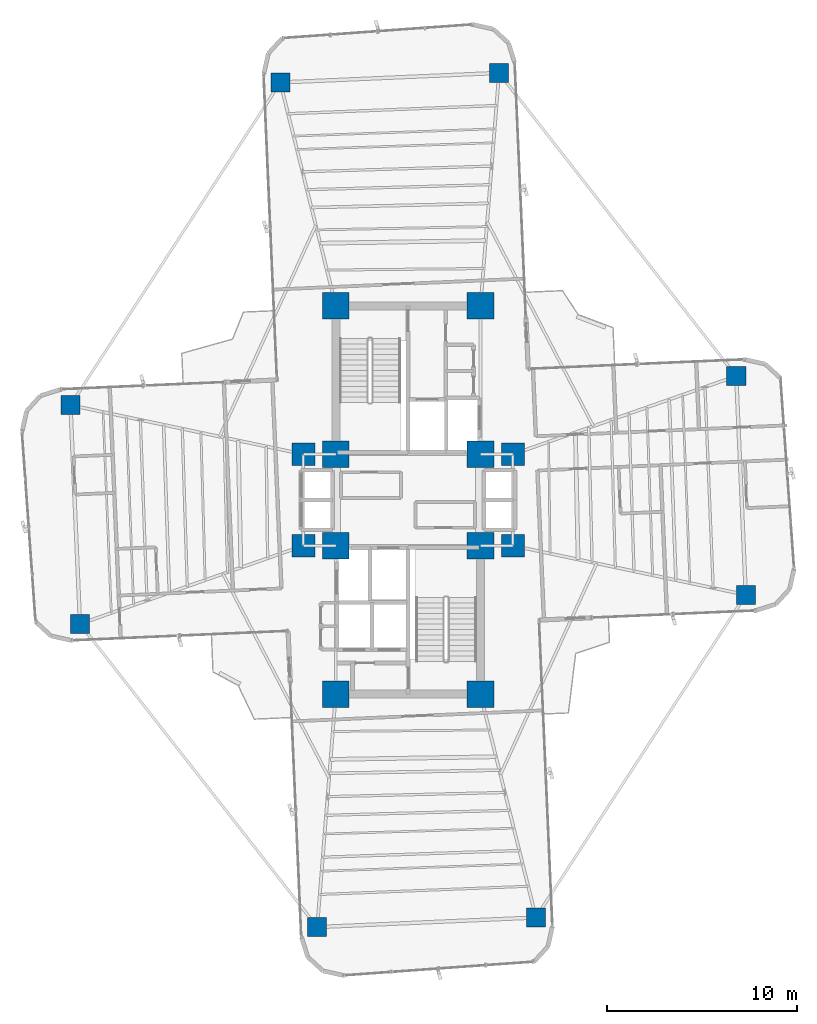
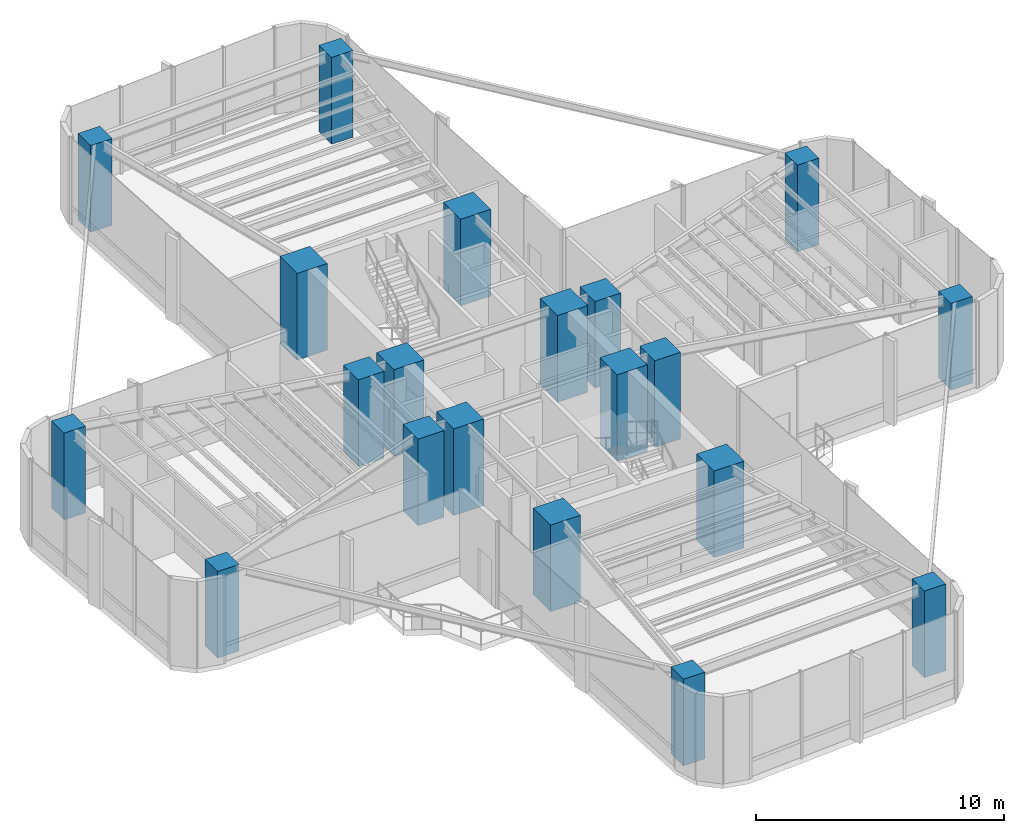
# One storey, part 1 of 23: 20 columns.
"""IFC4 building model written with IfcOpenShell, lengths in metres."""

from ifc_helpers import new_model, si_unit, direction, frame, origin, origin_2d, place, context, subcontext, project, spatial, rectangle, extrude, source, transform, mapped, material, material_profile, profile_set, type_object, element, save


model = new_model("IFC4")

# Units and contexts
model_context = context("Model", 3, precision=1e-05, world=origin(), true_north=direction((0.0, 1.0)))
body_context = subcontext(model_context, "Body", "Model", "MODEL_VIEW")
ifc_project = project(units=[si_unit("LENGTHUNIT", "METRE"), si_unit("AREAUNIT", "SQUARE_METRE"), si_unit("VOLUMEUNIT", "CUBIC_METRE"), si_unit("PLANEANGLEUNIT", "RADIAN"), si_unit("MASSUNIT", "GRAM", prefix="KILO")], contexts=[model_context])

# Site, building, storey
site_placement = place(None, origin())
site = spatial("IfcSite", under=ifc_project, at=site_placement, CompositionType="ELEMENT")
building_placement = place(site_placement, origin())
building = spatial("IfcBuilding", under=site, at=building_placement, Name="Sahyath Konkavel Grand Hotel", CompositionType="ELEMENT")
storey_placement = place(building_placement, frame((0.0, 0.0, 106.949951171875)))
storey = spatial("IfcBuildingStorey", under=building, at=storey_placement, Name="L29", CompositionType="ELEMENT", Elevation=106.949951171875)

# Columns
ifc_material_1 = material(Name="Concrete C70/85", Category="concrete")
ifc_material_profile_1 = material_profile(ifc_material_1, rectangle(XDim=1.39990234375, YDim=1.39990234375, at=origin_2d()), Name="RC 1400x1400")
ifc_profile_set_1 = profile_set([ifc_material_profile_1], Name="Concrete C70/85")
column_type_1 = type_object("IfcColumnType", Name="COL-RC1400", PredefinedType="COLUMN", material=ifc_profile_set_1)
shared_shape_1 = source(origin(), body_context, "Body", "SweptSolid", [
    extrude(rectangle(XDim=1.39990234375, YDim=1.39990234375, at=origin_2d()), origin(), (0.0, 0.0, 1.0), 4.260009765625),
])
for number, where, z_axis, x_axis, name in (
    (1, (-3.800048828125, 2.39990234375, 0.0), (0.0, 0.0, 1.0), (1.0, 0.0, 0.0), "L29 Core Boundary Column NC-SW"),
    (2, (3.800048828125, 2.39990234375, 0.0), (0.0, 0.0, 1.0), (1.0, 0.0, 0.0), "L29 Core Boundary Column NC-SE"),
    (3, (-3.800048828125, 10.199951171875, 0.0), (0.0, 0.0, 1.0), (1.0, 0.0, 0.0), "L29 Core Boundary Column NC-NW"),
    (4, (3.800048828125, 10.199951171875, 0.0), (0.0, 0.0, 1.0), (1.0, 0.0, 0.0), "L29 Core Boundary Column NC-NE"),
    (5, (-3.800048828125, -2.39990234375, 0.0), (0.0, 0.0, 1.0), (1.0, 0.0, 0.0), "L29 Core Boundary Column SC-NW"),
    (6, (3.800048828125, -2.39990234375, 0.0), (0.0, 0.0, 1.0), (1.0, 0.0, 0.0), "L29 Core Boundary Column SC-NE"),
    (7, (-3.800048828125, -10.199951171875, 0.0), (0.0, 0.0, 1.0), (1.0, 0.0, 0.0), "L29 Core Boundary Column SC-SW"),
    (8, (3.800048828125, -10.199951171875, 0.0), (0.0, 0.0, 1.0), (1.0, 0.0, 0.0), "L29 Core Boundary Column SC-SE"),
):
    element("IfcColumn", number, at=place(storey_placement, frame(where, z_axis=z_axis, x_axis=x_axis)), inside=storey, type_object=column_type_1, Name=name, PredefinedType="COLUMN", context=body_context, shape_type="MappedRepresentation", body=[
        mapped(shared_shape_1, transform((0.0, 0.0, 0.0), scale=1.0)),
    ])
ifc_material_2 = material(Name="Concrete C50/60", Category="concrete")
ifc_material_profile_2 = material_profile(ifc_material_2, rectangle(XDim=1.199951171875, YDim=1.199951171875, at=origin_2d()), Name="RC 1200x1200")
ifc_profile_set_2 = profile_set([ifc_material_profile_2], Name="Concrete C50/60")
column_type_2 = type_object("IfcColumnType", Name="COL-RC1200", PredefinedType="COLUMN", material=ifc_profile_set_2)
shared_shape_2 = source(origin(), body_context, "Body", "SweptSolid", [
    extrude(rectangle(XDim=1.199951171875, YDim=1.199951171875, at=origin_2d()), origin(), (0.0, 0.0, 1.0), 4.260009765625),
])
for number, where, z_axis, x_axis, name in (
    (9, (5.5, 2.39990234375, 0.0), (0.0, 0.0, 1.0), (1.0, 0.0, 0.0), "L29 Central Spine Column HB-NE"),
    (10, (-5.5, 2.39990234375, 0.0), (0.0, 0.0, 1.0), (1.0, 0.0, 0.0), "L29 Central Spine Column HB-NW"),
    (11, (5.5, -2.39990234375, 0.0), (0.0, 0.0, 1.0), (1.0, 0.0, 0.0), "L29 Central Spine Column HB-SE"),
    (12, (-5.5, -2.39990234375, 0.0), (0.0, 0.0, 1.0), (1.0, 0.0, 0.0), "L29 Central Spine Column HB-SW"),
):
    element("IfcColumn", number, at=place(storey_placement, frame(where, z_axis=z_axis, x_axis=x_axis)), inside=storey, type_object=column_type_2, Name=name, PredefinedType="COLUMN", context=body_context, shape_type="MappedRepresentation", body=[
        mapped(shared_shape_2, transform((0.0, 0.0, 0.0), scale=1.0)),
    ])
ifc_material_profile_3 = material_profile(ifc_material_2, rectangle(XDim=1.0, YDim=1.0, at=origin_2d()), Name="RC 1000x1000")
ifc_profile_set_3 = profile_set([ifc_material_profile_3], Name="Concrete C50/60")
column_type_3 = type_object("IfcColumnType", Name="COL-RC1000", PredefinedType="COLUMN", material=ifc_profile_set_3)
shared_shape_3 = source(origin(), body_context, "Body", "SweptSolid", [
    extrude(rectangle(XDim=1.0, YDim=1.0, at=origin_2d()), origin(), (0.0, 0.0, 1.0), 4.260009765625),
])
for number, where, z_axis, x_axis, name in (
    (13, (17.734130859375, -4.981201171875, 0.0), (0.0, 0.0, 1.0), (1.0, 0.0, 0.0), "L29 Cruciform Wing Column WC-EA"),
    (14, (17.232421875, 6.5078125, 0.0), (0.0, 0.0, 1.0), (1.0, 0.0, 0.0), "L29 Cruciform Wing Column WC-EB"),
    (15, (4.776123046875, 22.4296875, 0.0), (0.0, 0.0, 1.0), (1.0, 0.0, 0.0), "L29 Cruciform Wing Column WC-NA"),
    (16, (-6.712890625, 21.927978515625, 0.0), (0.0, 0.0, 1.0), (1.0, 0.0, 0.0), "L29 Cruciform Wing Column WC-NB"),
    (17, (-17.734130859375, 4.981201171875, 0.0), (0.0, 0.0, 1.0), (1.0, 0.0, 0.0), "L29 Cruciform Wing Column WC-WA"),
    (18, (-17.232421875, -6.5078125, 0.0), (0.0, 0.0, 1.0), (1.0, 0.0, 0.0), "L29 Cruciform Wing Column WC-WB"),
    (19, (-4.776123046875, -22.4296875, 0.0), (0.0, 0.0, 1.0), (1.0, 0.0, 0.0), "L29 Cruciform Wing Column WC-SA"),
    (20, (6.712890625, -21.927978515625, 0.0), (0.0, 0.0, 1.0), (1.0, 0.0, 0.0), "L29 Cruciform Wing Column WC-SB"),
):
    element("IfcColumn", number, at=place(storey_placement, frame(where, z_axis=z_axis, x_axis=x_axis)), inside=storey, type_object=column_type_3, Name=name, PredefinedType="COLUMN", context=body_context, shape_type="MappedRepresentation", body=[
        mapped(shared_shape_3, transform((0.0, 0.0, 0.0), scale=1.0)),
    ])

save(model, "model.ifc")
